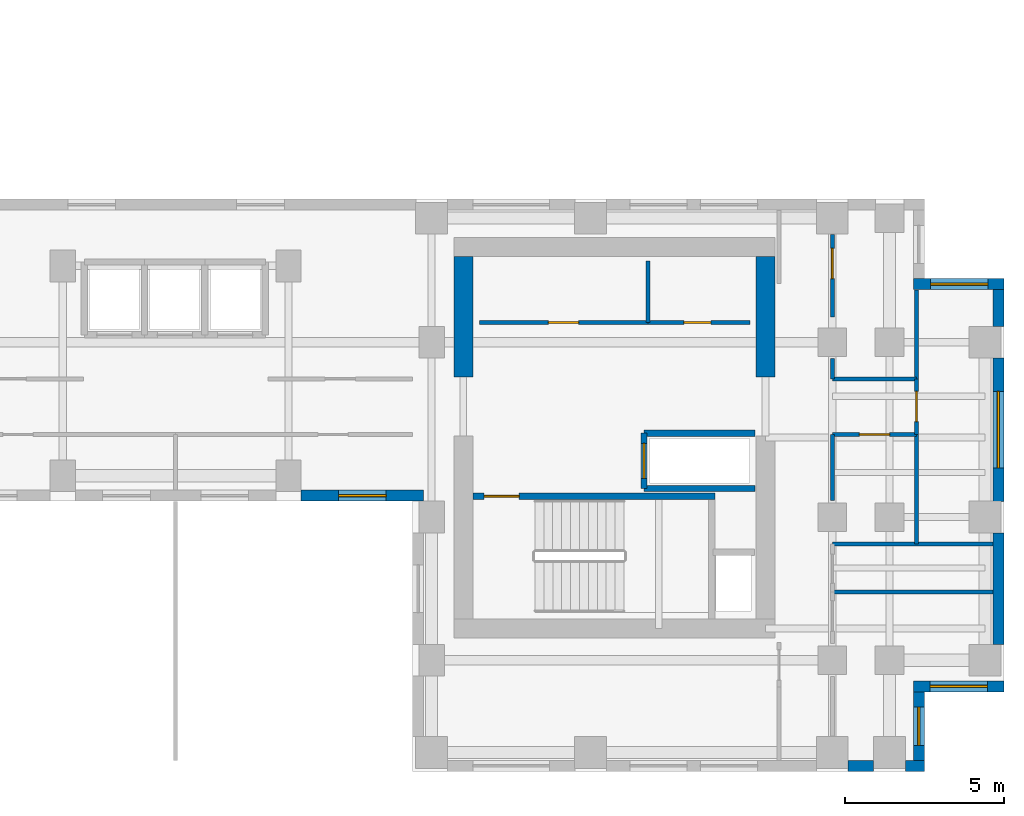
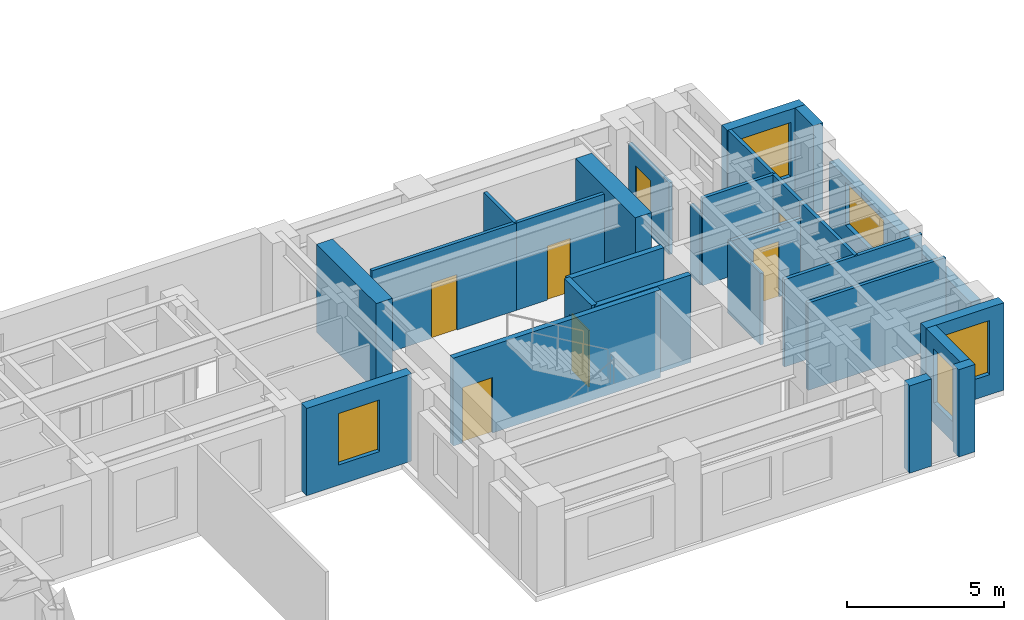
# One storey, part 9 of 13: 28 walls, 7 doors, 5 windows, 12 openings.
"""IFC4 building model written with IfcOpenShell, lengths in metres."""

from ifc_helpers import new_model, si_unit, direction, frame, frame_2d, origin, place, context, subcontext, project, spatial, rectangle, extrude, source, transform, mapped, material, layer, layer_set, type_object, element, fill, save


model = new_model("IFC4")

# Units and contexts
model_context = context("Model", 3, precision=1e-05, world=origin(), true_north=direction((0.0, 1.0)))
body_context = subcontext(model_context, "Body", "Model", "MODEL_VIEW")
ifc_project = project(units=[si_unit("LENGTHUNIT", "METRE"), si_unit("AREAUNIT", "SQUARE_METRE"), si_unit("VOLUMEUNIT", "CUBIC_METRE"), si_unit("PLANEANGLEUNIT", "RADIAN"), si_unit("MASSUNIT", "GRAM", prefix="KILO")], contexts=[model_context])

# Site, building, storey
site_placement = place(None, origin())
site = spatial("IfcSite", under=ifc_project, at=site_placement, CompositionType="ELEMENT")
building_placement = place(site_placement, origin())
building = spatial("IfcBuilding", under=site, at=building_placement, Name="Kharzan Plaza Tower", CompositionType="ELEMENT")
storey_placement = place(building_placement, frame((0.0, 0.0, 197.10009765625)))
storey = spatial("IfcBuildingStorey", under=building, at=storey_placement, Name="L53", CompositionType="ELEMENT", Elevation=197.10009765625)

# Wall, opening, window
ifc_material_1 = material(Name="Concrete C40/50", Category="concrete")
ifc_layer_1 = layer(ifc_material_1, 0.35009765625)
ifc_layer_set_1 = layer_set([ifc_layer_1], Name="Concrete C40/50")
wall_type_1 = type_object("IfcWallType", Name="WL-EXT-MAS-Z3", PredefinedType="SOLIDWALL", material=ifc_layer_set_1)
wall_1_placement = place(storey_placement, frame((30.89794921875, 8.675048828125, 0.0), z_axis=(0.0, 0.0, 1.0), x_axis=(1.0, 0.0, 0.0)))
wall_1 = element("IfcWall", 1, at=wall_1_placement, inside=storey, type_object=wall_type_1, Name="L53 Masonry-Frame Exterior Wall 28", PredefinedType="SOLIDWALL", context=body_context, shape_type="SweptSolid", body=[
    extrude(rectangle(XDim=3.85205078125, YDim=0.35009765625, at=frame_2d((1.926025390625, 0.0))), origin(), (0.0, 0.0, 1.0), 3.385009765625),
])
opening_1_placement = place(wall_1_placement, frame((1.176025390625, 0.0, 0.780029296875)))
opening_1 = element("IfcOpeningElement", 2, at=opening_1_placement, cuts=wall_1, Name="Opening W5", PredefinedType="OPENING", context=body_context, shape_type="SweptSolid", body=[
    extrude(rectangle(XDim=1.5, YDim=2.0, at=frame_2d((0.75, 1.0))), frame((0.0, 0.18505859375, 0.0), z_axis=(0.0, -1.0, 0.0), x_axis=(1.0, 0.0, 0.0)), (0.0, 0.0, 1.0), 0.3701171875),
])
ifc_material_2 = material(Name="Low-E Double Glazing", Category="glass")
window_type_1 = type_object("IfcWindowType", Name="WN-SLT-1500x2000", PartitioningType="SINGLE_PANEL", PredefinedType="WINDOW", material=ifc_material_2)
shared_shape_1 = source(origin(), body_context, "Body", "SweptSolid", [
    extrude(rectangle(XDim=1.5, YDim=2.0, at=frame_2d((0.75, 1.0))), frame((0.0, 0.030029296875, 0.0), z_axis=(0.0, -1.0, 0.0), x_axis=(1.0, 0.0, 0.0)), (0.0, 0.0, 1.0), 0.06005859375),
])
window_1_placement = place(opening_1_placement, origin())
window_1 = element("IfcWindow", 3, at=window_1_placement, inside=storey, type_object=window_type_1, Name="L53 Recessed Solar-Control Window 28-1", OverallHeight=2.0, OverallWidth=1.5, PartitioningType="SINGLE_PANEL", PredefinedType="WINDOW", context=body_context, shape_type="MappedRepresentation", body=[
    mapped(shared_shape_1, transform((0.0, 0.0, 0.0), x_axis=(1.0, 0.0, 0.0), y_axis=(0.0, 1.0, 0.0), z_axis=(0.0, 0.0, 1.0))),
])
fill(opening_1, window_1)

wall_2_placement = place(storey_placement, frame((50.324951171875, 0.347900390625, 0.0), z_axis=(0.0, 0.0, 1.0), x_axis=(0.0, 1.0, 0.0)))
wall_2 = element("IfcWall", 4, at=wall_2_placement, inside=storey, type_object=wall_type_1, Name="L53 Masonry-Frame Exterior Wall 35", PredefinedType="SOLIDWALL", context=body_context, shape_type="SweptSolid", body=[
    extrude(rectangle(XDim=2.154052734375, YDim=0.35009765625, at=frame_2d((1.0771484375, 0.0))), origin(), (0.0, 0.0, 1.0), 3.385009765625),
])
opening_2_placement = place(wall_2_placement, frame((0.47705078125, 0.0, 0.780029296875)))
opening_2 = element("IfcOpeningElement", 5, at=opening_2_placement, cuts=wall_2, Name="Opening W3", PredefinedType="OPENING", context=body_context, shape_type="SweptSolid", body=[
    extrude(rectangle(XDim=1.199951171875, YDim=2.10009765625, at=frame_2d((0.60009765625, 1.050048828125))), frame((0.0, 0.18505859375, 0.0), z_axis=(0.0, -1.0, 0.0), x_axis=(1.0, 0.0, 0.0)), (0.0, 0.0, 1.0), 0.3701171875),
])
window_type_2 = type_object("IfcWindowType", Name="WN-REC-1200x2100", PartitioningType="SINGLE_PANEL", PredefinedType="WINDOW", material=ifc_material_2)
shared_shape_2 = source(origin(), body_context, "Body", "SweptSolid", [
    extrude(rectangle(XDim=1.199951171875, YDim=2.10009765625, at=frame_2d((0.60009765625, 1.050048828125))), frame((0.0, 0.030029296875, 0.0), z_axis=(0.0, -1.0, 0.0), x_axis=(1.0, 0.0, 0.0)), (0.0, 0.0, 1.0), 0.06005859375),
])
window_2_placement = place(opening_2_placement, origin())
window_2 = element("IfcWindow", 6, at=window_2_placement, inside=storey, type_object=window_type_2, Name="L53 Recessed Solar-Control Window 35-1", OverallHeight=2.10009765625, OverallWidth=1.199951171875, PartitioningType="SINGLE_PANEL", PredefinedType="WINDOW", context=body_context, shape_type="MappedRepresentation", body=[
    mapped(shared_shape_2, transform((0.0, 0.0, 0.0), x_axis=(1.0, 0.0, 0.0), y_axis=(0.0, 1.0, 0.0), z_axis=(0.0, 0.0, 1.0))),
])
fill(opening_2, window_2)

wall_3_placement = place(storey_placement, frame((50.14990234375, 2.675048828125, 0.0), z_axis=(0.0, 0.0, 1.0), x_axis=(1.0, 0.0, 0.0)))
wall_3 = element("IfcWall", 7, at=wall_3_placement, inside=storey, type_object=wall_type_1, Name="L53 Masonry-Frame Exterior Wall 36", PredefinedType="SOLIDWALL", context=body_context, shape_type="SweptSolid", body=[
    extrude(rectangle(XDim=2.85009765625, YDim=0.35009765625, at=frame_2d((1.425048828125, 0.0))), origin(), (0.0, 0.0, 1.0), 3.385009765625),
])
opening_3_placement = place(wall_3_placement, frame((0.52490234375, 0.0, 0.780029296875)))
opening_3 = element("IfcOpeningElement", 8, at=opening_3_placement, cuts=wall_3, Name="Opening W1", PredefinedType="OPENING", context=body_context, shape_type="SweptSolid", body=[
    extrude(rectangle(XDim=1.800048828125, YDim=2.10009765625, at=frame_2d((0.89990234375, 1.050048828125))), frame((0.0, 0.18505859375, 0.0), z_axis=(0.0, -1.0, 0.0), x_axis=(1.0, 0.0, 0.0)), (0.0, 0.0, 1.0), 0.3701171875),
])
window_type_3 = type_object("IfcWindowType", Name="WN-REC-1800x2100", PartitioningType="SINGLE_PANEL", PredefinedType="WINDOW", material=ifc_material_2)
shared_shape_3 = source(origin(), body_context, "Body", "SweptSolid", [
    extrude(rectangle(XDim=1.800048828125, YDim=2.10009765625, at=frame_2d((0.89990234375, 1.050048828125))), frame((0.0, 0.030029296875, 0.0), z_axis=(0.0, -1.0, 0.0), x_axis=(1.0, 0.0, 0.0)), (0.0, 0.0, 1.0), 0.06005859375),
])
window_3_placement = place(opening_3_placement, origin())
window_3 = element("IfcWindow", 9, at=window_3_placement, inside=storey, type_object=window_type_3, Name="L53 Recessed Solar-Control Window 36-1", OverallHeight=2.10009765625, OverallWidth=1.800048828125, PartitioningType="SINGLE_PANEL", PredefinedType="WINDOW", context=body_context, shape_type="MappedRepresentation", body=[
    mapped(shared_shape_3, transform((0.0, 0.0, 0.0), x_axis=(1.0, 0.0, 0.0), y_axis=(0.0, 1.0, 0.0), z_axis=(0.0, 0.0, 1.0))),
])
fill(opening_3, window_3)

wall_4_placement = place(storey_placement, frame((52.824951171875, 8.498046875, 0.0), z_axis=(0.0, 0.0, 1.0), x_axis=(0.0, 1.0, 0.0)))
wall_4 = element("IfcWall", 10, at=wall_4_placement, inside=storey, type_object=wall_type_1, Name="L53 Masonry-Frame Exterior Wall 38", PredefinedType="SOLIDWALL", context=body_context, shape_type="SweptSolid", body=[
    extrude(rectangle(XDim=4.50390625, YDim=0.35009765625, at=frame_2d((2.251953125, 0.0))), origin(), (0.0, 0.0, 1.0), 2.61181640625),
])
opening_4_placement = place(wall_4_placement, frame((1.052001953125, 0.0, 0.780029296875)))
opening_4 = element("IfcOpeningElement", 11, at=opening_4_placement, cuts=wall_4, Name="Opening W2", PredefinedType="OPENING", context=body_context, shape_type="SweptSolid", body=[
    extrude(rectangle(XDim=2.39990234375, YDim=1.652099609375, at=frame_2d((1.199951171875, 0.826171875))), frame((0.0, 0.18505859375, 0.0), z_axis=(0.0, -1.0, 0.0), x_axis=(1.0, 0.0, 0.0)), (0.0, 0.0, 1.0), 0.3701171875),
])
window_type_4 = type_object("IfcWindowType", Name="WN-REC-2400x2100", PartitioningType="SINGLE_PANEL", PredefinedType="WINDOW", material=ifc_material_2)
shared_shape_4 = source(origin(), body_context, "Body", "SweptSolid", [
    extrude(rectangle(XDim=2.39990234375, YDim=1.652099609375, at=frame_2d((1.199951171875, 0.826171875))), frame((0.0, 0.030029296875, 0.0), z_axis=(0.0, -1.0, 0.0), x_axis=(1.0, 0.0, 0.0)), (0.0, 0.0, 1.0), 0.06005859375),
])
window_4_placement = place(opening_4_placement, origin())
window_4 = element("IfcWindow", 12, at=window_4_placement, inside=storey, type_object=window_type_4, Name="L53 Wide Recessed Solar-Control Window 38-1", OverallHeight=1.652099609375, OverallWidth=2.39990234375, PartitioningType="SINGLE_PANEL", PredefinedType="WINDOW", context=body_context, shape_type="MappedRepresentation", body=[
    mapped(shared_shape_4, transform((0.0, 0.0, 0.0), x_axis=(1.0, 0.0, 0.0), y_axis=(0.0, 1.0, 0.0), z_axis=(0.0, 0.0, 1.0))),
])
fill(opening_4, window_4)

wall_5_placement = place(storey_placement, frame((53.0, 15.324951171875, 0.0), z_axis=(0.0, 0.0, 1.0), x_axis=(-1.0, 0.0, 0.0)))
wall_5 = element("IfcWall", 13, at=wall_5_placement, inside=storey, type_object=wall_type_1, Name="L53 Masonry-Frame Exterior Wall 40", PredefinedType="SOLIDWALL", context=body_context, shape_type="SweptSolid", body=[
    extrude(rectangle(XDim=2.85009765625, YDim=0.35009765625, at=frame_2d((1.425048828125, 0.0))), origin(), (0.0, 0.0, 1.0), 3.385009765625),
])
opening_5_placement = place(wall_5_placement, frame((0.510009765625, 0.0, 0.780029296875)))
opening_5 = element("IfcOpeningElement", 14, at=opening_5_placement, cuts=wall_5, Name="Opening W1", PredefinedType="OPENING", context=body_context, shape_type="SweptSolid", body=[
    extrude(rectangle(XDim=1.800048828125, YDim=2.10009765625, at=frame_2d((0.89990234375, 1.050048828125))), frame((0.0, 0.18505859375, 0.0), z_axis=(0.0, -1.0, 0.0), x_axis=(1.0, 0.0, 0.0)), (0.0, 0.0, 1.0), 0.3701171875),
])
window_5_placement = place(opening_5_placement, origin())
window_5 = element("IfcWindow", 15, at=window_5_placement, inside=storey, type_object=window_type_3, Name="L53 Recessed Solar-Control Window 40-1", OverallHeight=2.10009765625, OverallWidth=1.800048828125, PartitioningType="SINGLE_PANEL", PredefinedType="WINDOW", context=body_context, shape_type="MappedRepresentation", body=[
    mapped(shared_shape_3, transform((0.0, 0.0, 0.0), x_axis=(1.0, 0.0, 0.0), y_axis=(0.0, 1.0, 0.0), z_axis=(0.0, 0.0, 1.0))),
])
fill(opening_5, window_5)

# Wall, opening, door
ifc_material_3 = material(Name="Fire-Rated Gypsum Board Partition", Category="gypsum")
ifc_layer_2 = layer(ifc_material_3, 0.125)
ifc_layer_set_2 = layer_set([ifc_layer_2], Name="Fire-Rated Gypsum Board Partition")
wall_type_2 = type_object("IfcWallType", Name="WL-INT-PART-125", PredefinedType="PARTITIONING", material=ifc_layer_set_2)
wall_6_placement = place(storey_placement, frame((36.5, 14.1201171875, 0.0), z_axis=(0.0, 0.0, 1.0), x_axis=(1.0, 0.0, 0.0)))
wall_6 = element("IfcWall", 16, at=wall_6_placement, inside=storey, type_object=wall_type_2, Name="L53 Interior Partition CB-RBLSA", PredefinedType="PARTITIONING", context=body_context, shape_type="SweptSolid", body=[
    extrude(rectangle(XDim=5.300048828125, YDim=0.125, at=frame_2d((2.64990234375, 0.0))), origin(), (0.0, 0.0, 1.0), 3.385009765625),
])
opening_6_placement = place(wall_6_placement, frame((2.175048828125, 0.0, 0.0)))
opening_6 = element("IfcOpeningElement", 17, at=opening_6_placement, cuts=wall_6, Name="Opening OD1", PredefinedType="OPENING", context=body_context, shape_type="SweptSolid", body=[
    extrude(rectangle(XDim=0.949951171875, YDim=2.14990234375, at=frame_2d((0.47509765625, 1.074951171875))), frame((0.0, 0.072509765625, 0.0), z_axis=(0.0, -1.0, 0.0), x_axis=(1.0, 0.0, 0.0)), (0.0, 0.0, 1.0), 0.14501953125),
])
ifc_material_4 = material(Name="Acoustic Solid-Core Stained Oak", Category="timber")
door_type_1 = type_object("IfcDoorType", Name="DR-OFF-SINGLE", OperationType="NOTDEFINED", PredefinedType="DOOR", material=ifc_material_4)
shared_shape_5 = source(origin(), body_context, "Body", "SweptSolid", [
    extrude(rectangle(XDim=0.949951171875, YDim=2.14990234375, at=frame_2d((0.47509765625, 1.074951171875))), frame((0.0, 0.02490234375, 0.0), z_axis=(0.0, -1.0, 0.0), x_axis=(1.0, 0.0, 0.0)), (0.0, 0.0, 1.0), 0.050048828125),
])
door_1_placement = place(opening_6_placement, origin())
door_1 = element("IfcDoor", 18, at=door_1_placement, inside=storey, type_object=door_type_1, Name="L53 Records Room Door", OperationType="SINGLE_SWING_LEFT", OverallHeight=2.14990234375, OverallWidth=0.949951171875, PredefinedType="DOOR", context=body_context, shape_type="MappedRepresentation", body=[
    mapped(shared_shape_5, transform((0.0, 0.0, 0.0), x_axis=(1.0, 0.0, 0.0), y_axis=(0.0, 1.0, 0.0), z_axis=(0.0, 0.0, 1.0))),
])
fill(opening_6, door_1)

wall_7_placement = place(storey_placement, frame((41.800048828125, 14.1201171875, 0.0), z_axis=(0.0, 0.0, 1.0), x_axis=(1.0, 0.0, 0.0)))
wall_7 = element("IfcWall", 19, at=wall_7_placement, inside=storey, type_object=wall_type_2, Name="L53 Interior Partition CB-RBLSB", PredefinedType="PARTITIONING", context=body_context, shape_type="SweptSolid", body=[
    extrude(rectangle(XDim=3.219970703125, YDim=0.125, at=frame_2d((1.60986328125, 0.0))), origin(), (0.0, 0.0, 1.0), 3.385009765625),
])
opening_7_placement = place(wall_7_placement, frame((1.135009765625, 0.0, 0.0)))
opening_7 = element("IfcOpeningElement", 20, at=opening_7_placement, cuts=wall_7, Name="Opening RD1", PredefinedType="OPENING", context=body_context, shape_type="SweptSolid", body=[
    extrude(rectangle(XDim=0.85009765625, YDim=2.10009765625, at=frame_2d((0.425048828125, 1.050048828125))), frame((0.0, 0.072509765625, 0.0), z_axis=(0.0, -1.0, 0.0), x_axis=(1.0, 0.0, 0.0)), (0.0, 0.0, 1.0), 0.14501953125),
])
ifc_material_5 = material(Name="Powder-Coated Fire-Rated Steel", Category="steel")
door_type_2 = type_object("IfcDoorType", Name="DR-RISER-900", OperationType="NOTDEFINED", PredefinedType="DOOR", material=ifc_material_5)
shared_shape_6 = source(origin(), body_context, "Body", "SweptSolid", [
    extrude(rectangle(XDim=0.85009765625, YDim=2.10009765625, at=frame_2d((0.425048828125, 1.050048828125))), frame((0.0, 0.02490234375, 0.0), z_axis=(0.0, -1.0, 0.0), x_axis=(1.0, 0.0, 0.0)), (0.0, 0.0, 1.0), 0.050048828125),
])
door_2_placement = place(opening_7_placement, origin())
door_2 = element("IfcDoor", 21, at=door_2_placement, inside=storey, type_object=door_type_2, Name="L53 Housekeeping Store Door", OperationType="SINGLE_SWING_RIGHT", OverallHeight=2.10009765625, OverallWidth=0.85009765625, PredefinedType="DOOR", context=body_context, shape_type="MappedRepresentation", body=[
    mapped(shared_shape_6, transform((0.0, 0.0, 0.0), x_axis=(1.0, 0.0, 0.0), y_axis=(0.0, 1.0, 0.0), z_axis=(0.0, 0.0, 1.0))),
])
fill(opening_7, door_2)

wall_8_placement = place(storey_placement, frame((50.25, 10.60009765625, 0.0), z_axis=(0.0, 0.0, 1.0), x_axis=(0.0, 1.0, 0.0)))
wall_8 = element("IfcWall", 22, at=wall_8_placement, inside=storey, type_object=wall_type_2, Name="L53 Interior Partition SH-B2E2", PredefinedType="PARTITIONING", context=body_context, shape_type="SweptSolid", body=[
    extrude(rectangle(XDim=1.75, YDim=0.125, at=frame_2d((0.875, 0.0))), origin(), (0.0, 0.0, 1.0), 3.385009765625),
])
opening_8_placement = place(wall_8_placement, frame((0.39990234375, 0.0, 0.0)))
opening_8 = element("IfcOpeningElement", 23, at=opening_8_placement, cuts=wall_8, Name="Opening OD1", PredefinedType="OPENING", context=body_context, shape_type="SweptSolid", body=[
    extrude(rectangle(XDim=0.949951171875, YDim=2.14990234375, at=frame_2d((0.47509765625, 1.074951171875))), frame((0.0, 0.072509765625, 0.0), z_axis=(0.0, -1.0, 0.0), x_axis=(1.0, 0.0, 0.0)), (0.0, 0.0, 1.0), 0.14501953125),
])
door_3_placement = place(opening_8_placement, origin())
door_3 = element("IfcDoor", 24, at=door_3_placement, inside=storey, type_object=door_type_1, Name="L53 East Boardroom Door", OperationType="SINGLE_SWING_LEFT", OverallHeight=2.14990234375, OverallWidth=0.949951171875, PredefinedType="DOOR", context=body_context, shape_type="MappedRepresentation", body=[
    mapped(shared_shape_5, transform((0.0, 0.0, 0.0), x_axis=(1.0, 0.0, 0.0), y_axis=(0.0, 1.0, 0.0), z_axis=(0.0, 0.0, 1.0))),
])
fill(opening_8, door_3)

wall_9_placement = place(storey_placement, frame((47.60009765625, 10.60009765625, 0.0), z_axis=(0.0, 0.0, 1.0), x_axis=(1.0, 0.0, 0.0)))
wall_9 = element("IfcWall", 25, at=wall_9_placement, inside=storey, type_object=wall_type_2, Name="L53 Interior Partition SH-B2S1", PredefinedType="PARTITIONING", context=body_context, shape_type="SweptSolid", body=[
    extrude(rectangle(XDim=2.64990234375, YDim=0.125, at=frame_2d((1.324951171875, 0.0))), origin(), (0.0, 0.0, 1.0), 2.77294921875),
])
opening_9_placement = place(wall_9_placement, frame((0.85009765625, 0.0, 0.0)))
opening_9 = element("IfcOpeningElement", 26, at=opening_9_placement, cuts=wall_9, Name="Opening OD1", PredefinedType="OPENING", context=body_context, shape_type="SweptSolid", body=[
    extrude(rectangle(XDim=0.949951171875, YDim=2.14990234375, at=frame_2d((0.47509765625, 1.074951171875))), frame((0.0, 0.072509765625, 0.0), z_axis=(0.0, -1.0, 0.0), x_axis=(1.0, 0.0, 0.0)), (0.0, 0.0, 1.0), 0.14501953125),
])
door_4_placement = place(opening_9_placement, origin())
door_4 = element("IfcDoor", 27, at=door_4_placement, inside=storey, type_object=door_type_1, Name="L53 Spur South Office Door", OperationType="SINGLE_SWING_RIGHT", OverallHeight=2.14990234375, OverallWidth=0.949951171875, PredefinedType="DOOR", context=body_context, shape_type="MappedRepresentation", body=[
    mapped(shared_shape_5, transform((0.0, 0.0, 0.0), x_axis=(1.0, 0.0, 0.0), y_axis=(0.0, 1.0, 0.0), z_axis=(0.0, 0.0, 1.0))),
])
fill(opening_9, door_4)

wall_10_placement = place(storey_placement, frame((47.60009765625, 14.300048828125, 0.0), z_axis=(0.0, 0.0, 1.0), x_axis=(0.0, 1.0, 0.0)))
wall_10 = element("IfcWall", 28, at=wall_10_placement, inside=storey, type_object=wall_type_2, Name="L53 Interior Partition SH-B2W3D", PredefinedType="PARTITIONING", context=body_context, shape_type="SweptSolid", body=[
    extrude(rectangle(XDim=2.579833984375, YDim=0.125, at=frame_2d((1.2900390625, 0.0))), origin(), (0.0, 0.0, 1.0), 2.77294921875),
])
opening_10_placement = place(wall_10_placement, frame((1.199951171875, 0.0, 0.0)))
opening_10 = element("IfcOpeningElement", 29, at=opening_10_placement, cuts=wall_10, Name="Opening OD1", PredefinedType="OPENING", context=body_context, shape_type="SweptSolid", body=[
    extrude(rectangle(XDim=0.949951171875, YDim=2.14990234375, at=frame_2d((0.47509765625, 1.074951171875))), frame((0.0, 0.072509765625, 0.0), z_axis=(0.0, -1.0, 0.0), x_axis=(1.0, 0.0, 0.0)), (0.0, 0.0, 1.0), 0.14501953125),
])
door_5_placement = place(opening_10_placement, origin())
door_5 = element("IfcDoor", 30, at=door_5_placement, inside=storey, type_object=door_type_1, Name="L53 Spur North Office Door", OperationType="SINGLE_SWING_LEFT", OverallHeight=2.14990234375, OverallWidth=0.949951171875, PredefinedType="DOOR", context=body_context, shape_type="MappedRepresentation", body=[
    mapped(shared_shape_5, transform((0.0, 0.0, 0.0), x_axis=(1.0, 0.0, 0.0), y_axis=(0.0, 1.0, 0.0), z_axis=(0.0, 0.0, 1.0))),
])
fill(opening_10, door_5)

ifc_layer_3 = layer(ifc_material_1, 0.199951171875)
ifc_layer_set_3 = layer_set([ifc_layer_3], Name="Concrete C40/50")
wall_type_3 = type_object("IfcWallType", Name="WL-INT-SHAFT-200", PredefinedType="PARTITIONING", material=ifc_layer_set_3)
wall_11_placement = place(storey_placement, frame((41.679931640625, 8.89990234375, 0.0), z_axis=(0.0, 0.0, 1.0), x_axis=(0.0, 1.0, 0.0)))
wall_11 = element("IfcWall", 31, at=wall_11_placement, inside=storey, type_object=wall_type_3, Name="L53 Interior Partition SHF-SVL-2-W", PredefinedType="PARTITIONING", context=body_context, shape_type="SweptSolid", body=[
    extrude(rectangle(XDim=1.739990234375, YDim=0.199951171875, at=frame_2d((0.8701171875, 0.0))), origin(), (0.0, 0.0, 1.0), 3.385009765625),
])
opening_11_placement = place(wall_11_placement, frame((0.320068359375, 0.0, 0.0)))
opening_11 = element("IfcOpeningElement", 32, at=opening_11_placement, cuts=wall_11, Name="Opening LD", PredefinedType="OPENING", context=body_context, shape_type="SweptSolid", body=[
    extrude(rectangle(XDim=1.10009765625, YDim=2.199951171875, at=frame_2d((0.550048828125, 1.10009765625))), frame((0.0, 0.10986328125, 0.0), z_axis=(0.0, -1.0, 0.0), x_axis=(1.0, 0.0, 0.0)), (0.0, 0.0, 1.0), 0.219970703125),
])
ifc_material_6 = material(Name="Brushed Stainless Steel", Category="steel")
door_type_3 = type_object("IfcDoorType", Name="DR-LIFT-SLIDE", OperationType="SLIDING_TO_LEFT", PredefinedType="DOOR", material=ifc_material_6)
shared_shape_7 = source(origin(), body_context, "Body", "SweptSolid", [
    extrude(rectangle(XDim=1.10009765625, YDim=2.199951171875, at=frame_2d((0.550048828125, 1.10009765625))), frame((0.0, 0.02490234375, 0.0), z_axis=(0.0, -1.0, 0.0), x_axis=(1.0, 0.0, 0.0)), (0.0, 0.0, 1.0), 0.050048828125),
])
door_6_placement = place(opening_11_placement, origin())
door_6 = element("IfcDoor", 33, at=door_6_placement, inside=storey, type_object=door_type_3, Name="L53 Service Lift SVL-2 Sliding Landing Door", OperationType="SLIDING_TO_LEFT", OverallHeight=2.199951171875, OverallWidth=1.10009765625, PredefinedType="DOOR", context=body_context, shape_type="MappedRepresentation", body=[
    mapped(shared_shape_7, transform((0.0, 0.0, 0.0), x_axis=(1.0, 0.0, 0.0), y_axis=(0.0, 1.0, 0.0), z_axis=(0.0, 0.0, 1.0))),
])
fill(opening_11, door_6)

ifc_material_7 = material(Name="Concrete C50/60", Category="concrete")
ifc_layer_4 = layer(ifc_material_7, 0.199951171875)
ifc_layer_set_4 = layer_set([ifc_layer_4], Name="Concrete C50/60")
wall_type_4 = type_object("IfcWallType", Name="WL-SHAFT-RC200", PredefinedType="SHEAR", material=ifc_layer_set_4)
wall_12_placement = place(storey_placement, frame((36.302001953125, 8.655029296875, 0.0), z_axis=(0.0, 0.0, 1.0), x_axis=(1.0, 0.0, 0.0)))
wall_12 = element("IfcWall", 34, at=wall_12_placement, inside=storey, type_object=wall_type_4, Name="L53 Stair ST-3 North RC Shaft Wall", PredefinedType="SHEAR", context=body_context, shape_type="SweptSolid", body=[
    extrude(rectangle(XDim=7.60302734375, YDim=0.199951171875, at=frame_2d((3.801513671875, 0.0))), origin(), (0.0, 0.0, 1.0), 3.39990234375),
])
opening_12_placement = place(wall_12_placement, frame((0.35009765625, 0.0, 0.0)))
opening_12 = element("IfcOpeningElement", 35, at=opening_12_placement, cuts=wall_12, Name="Opening SD1", PredefinedType="OPENING", context=body_context, shape_type="SweptSolid", body=[
    extrude(rectangle(XDim=1.10009765625, YDim=2.14990234375, at=frame_2d((0.550048828125, 1.074951171875))), frame((0.0, 0.10986328125, 0.0), z_axis=(0.0, -1.0, 0.0), x_axis=(1.0, 0.0, 0.0)), (0.0, 0.0, 1.0), 0.219970703125),
])
ifc_material_8 = material(Name="Fire-Rated Hollow Galvanized Steel", Category="steel")
door_type_4 = type_object("IfcDoorType", Name="DR-STAIR-FD120", OperationType="NOTDEFINED", PredefinedType="DOOR", material=ifc_material_8)
shared_shape_8 = source(origin(), body_context, "Body", "SweptSolid", [
    extrude(rectangle(XDim=1.10009765625, YDim=2.14990234375, at=frame_2d((0.550048828125, 1.074951171875))), frame((0.0, 0.02490234375, 0.0), z_axis=(0.0, -1.0, 0.0), x_axis=(1.0, 0.0, 0.0)), (0.0, 0.0, 1.0), 0.050048828125),
])
door_7_placement = place(opening_12_placement, origin())
door_7 = element("IfcDoor", 36, at=door_7_placement, inside=storey, type_object=door_type_4, Name="L53 Stair ST-3 Fire Exit Door", OperationType="SINGLE_SWING_RIGHT", OverallHeight=2.14990234375, OverallWidth=1.10009765625, PredefinedType="DOOR", context=body_context, shape_type="MappedRepresentation", body=[
    mapped(shared_shape_8, transform((0.0, 0.0, 0.0), x_axis=(1.0, 0.0, 0.0), y_axis=(0.0, 1.0, 0.0), z_axis=(0.0, 0.0, 1.0))),
])
fill(opening_12, door_7)

# Walls
ifc_layer_5 = layer(ifc_material_7, 0.60009765625)
ifc_layer_set_5 = layer_set([ifc_layer_5], Name="Concrete C50/60")
wall_type_5 = type_object("IfcWallType", Name="WL-CORE-600", PredefinedType="SHEAR", material=ifc_layer_set_5)
shared_shape_9 = source(origin(), body_context, "Body", "SweptSolid", [
    extrude(rectangle(XDim=3.800048828125, YDim=0.60009765625, at=frame_2d((1.89990234375, 0.0))), origin(), (0.0, 0.0, 1.0), 3.39990234375),
])
for number, where, z_axis, x_axis, name in (
    (37, (45.5, 12.39990234375, 0.0), (0.0, 0.0, 1.0), (0.0, 1.0, 0.0), "L53 CORE-B east shear pier 2"),
    (38, (36.0, 12.39990234375, 0.0), (0.0, 0.0, 1.0), (0.0, 1.0, 0.0), "L53 CORE-B west shear pier 2"),
):
    element("IfcWall", number, at=place(storey_placement, frame(where, z_axis=z_axis, x_axis=x_axis)), inside=storey, type_object=wall_type_5, Name=name, PredefinedType="SHEAR", context=body_context, shape_type="MappedRepresentation", body=[
        mapped(shared_shape_9, transform((0.0, 0.0, 0.0), x_axis=(1.0, 0.0, 0.0), y_axis=(0.0, 1.0, 0.0), z_axis=(0.0, 0.0, 1.0))),
    ])
shared_shape_10 = source(origin(), body_context, "Body", "SweptSolid", [
    extrude(rectangle(XDim=0.80419921875, YDim=0.35009765625, at=frame_2d((0.402099609375, 0.0))), origin(), (0.0, 0.0, 1.0), 3.385009765625),
])
wall_13_placement = place(storey_placement, frame((48.097900390625, 0.175048828125, 0.0), z_axis=(0.0, 0.0, 1.0), x_axis=(1.0, 0.0, 0.0)))
element("IfcWall", 39, at=wall_13_placement, inside=storey, type_object=wall_type_1, Name="L53 Masonry-Frame Exterior Wall 33", PredefinedType="SOLIDWALL", context=body_context, shape_type="MappedRepresentation", body=[
    mapped(shared_shape_10, transform((0.0, 0.0, 0.0), x_axis=(1.0, 0.0, 0.0), y_axis=(0.0, 1.0, 0.0), z_axis=(0.0, 0.0, 1.0))),
])
shared_shape_11 = source(origin(), body_context, "Body", "SweptSolid", [
    extrude(rectangle(XDim=0.60205078125, YDim=0.35009765625, at=frame_2d((0.301025390625, 0.0))), origin(), (0.0, 0.0, 1.0), 3.385009765625),
])
wall_14_placement = place(storey_placement, frame((49.89794921875, 0.175048828125, 0.0), z_axis=(0.0, 0.0, 1.0), x_axis=(1.0, 0.0, 0.0)))
element("IfcWall", 40, at=wall_14_placement, inside=storey, type_object=wall_type_1, Name="L53 Masonry-Frame Exterior Wall 34", PredefinedType="SOLIDWALL", context=body_context, shape_type="MappedRepresentation", body=[
    mapped(shared_shape_11, transform((0.0, 0.0, 0.0), x_axis=(1.0, 0.0, 0.0), y_axis=(0.0, 1.0, 0.0), z_axis=(0.0, 0.0, 1.0))),
])
shared_shape_12 = source(origin(), body_context, "Body", "SweptSolid", [
    extrude(rectangle(XDim=1.154052734375, YDim=0.35009765625, at=frame_2d((0.5771484375, 0.0))), origin(), (0.0, 0.0, 1.0), 3.385009765625),
])
wall_15_placement = place(storey_placement, frame((52.824951171875, 13.998046875, 0.0), z_axis=(0.0, 0.0, 1.0), x_axis=(0.0, 1.0, 0.0)))
element("IfcWall", 41, at=wall_15_placement, inside=storey, type_object=wall_type_1, Name="L53 Masonry-Frame Exterior Wall 39", PredefinedType="SOLIDWALL", context=body_context, shape_type="MappedRepresentation", body=[
    mapped(shared_shape_12, transform((0.0, 0.0, 0.0), x_axis=(1.0, 0.0, 0.0), y_axis=(0.0, 1.0, 0.0), z_axis=(0.0, 0.0, 1.0))),
])
shared_shape_13 = source(origin(), body_context, "Body", "SweptSolid", [
    extrude(rectangle(XDim=3.50390625, YDim=0.35009765625, at=frame_2d((1.751953125, 0.0))), origin(), (0.0, 0.0, 1.0), 2.61181640625),
])
wall_16_placement = place(storey_placement, frame((52.824951171875, 3.998046875, 0.0), z_axis=(0.0, 0.0, 1.0), x_axis=(0.0, 1.0, 0.0)))
element("IfcWall", 42, at=wall_16_placement, inside=storey, type_object=wall_type_1, Name="L53 Masonry-Frame Exterior Wall 37", PredefinedType="SOLIDWALL", context=body_context, shape_type="MappedRepresentation", body=[
    mapped(shared_shape_13, transform((0.0, 0.0, 0.0), x_axis=(1.0, 0.0, 0.0), y_axis=(0.0, 1.0, 0.0), z_axis=(0.0, 0.0, 1.0))),
])
shared_shape_14 = source(origin(), body_context, "Body", "SweptSolid", [
    extrude(rectangle(XDim=1.929931640625, YDim=0.125, at=frame_2d((0.96484375, 0.0))), origin(), (0.0, 0.0, 1.0), 3.385009765625),
])
wall_17_placement = place(storey_placement, frame((41.800048828125, 14.1201171875, 0.0), z_axis=(0.0, 0.0, 1.0), x_axis=(0.0, 1.0, 0.0)))
element("IfcWall", 43, at=wall_17_placement, inside=storey, type_object=wall_type_2, Name="L53 Interior Partition CB-RBLM2", PredefinedType="PARTITIONING", context=body_context, shape_type="MappedRepresentation", body=[
    mapped(shared_shape_14, transform((0.0, 0.0, 0.0), x_axis=(1.0, 0.0, 0.0), y_axis=(0.0, 1.0, 0.0), z_axis=(0.0, 0.0, 1.0))),
])
shared_shape_15 = source(origin(), body_context, "Body", "SweptSolid", [
    extrude(rectangle(XDim=0.6298828125, YDim=0.125, at=frame_2d((0.31494140625, 0.0))), origin(), (0.0, 0.0, 1.0), 2.77294921875),
])
wall_18_placement = place(storey_placement, frame((47.60009765625, 12.35009765625, 0.0), z_axis=(0.0, 0.0, 1.0), x_axis=(0.0, 1.0, 0.0)))
element("IfcWall", 44, at=wall_18_placement, inside=storey, type_object=wall_type_2, Name="L53 Interior Partition SH-B2W3S", PredefinedType="PARTITIONING", context=body_context, shape_type="MappedRepresentation", body=[
    mapped(shared_shape_15, transform((0.0, 0.0, 0.0), x_axis=(1.0, 0.0, 0.0), y_axis=(0.0, 1.0, 0.0), z_axis=(0.0, 0.0, 1.0))),
])
shared_shape_16 = source(origin(), body_context, "Body", "SweptSolid", [
    extrude(rectangle(XDim=5.0478515625, YDim=0.125, at=frame_2d((2.52392578125, 0.0))), origin(), (0.0, 0.0, 1.0), 3.385009765625),
])
for number, where, z_axis, x_axis, name in (
    (45, (47.60009765625, 5.64990234375, 0.0), (0.0, 0.0, 1.0), (1.0, 0.0, 0.0), "L53 Interior Partition SH-B2H1"),
    (46, (47.60009765625, 7.14990234375, 0.0), (0.0, 0.0, 1.0), (1.0, 0.0, 0.0), "L53 Interior Partition SH-B2H2"),
):
    element("IfcWall", number, at=place(storey_placement, frame(where, z_axis=z_axis, x_axis=x_axis)), inside=storey, type_object=wall_type_2, Name=name, PredefinedType="PARTITIONING", context=body_context, shape_type="MappedRepresentation", body=[
        mapped(shared_shape_16, transform((0.0, 0.0, 0.0), x_axis=(1.0, 0.0, 0.0), y_axis=(0.0, 1.0, 0.0), z_axis=(0.0, 0.0, 1.0))),
    ])
shared_shape_17 = source(origin(), body_context, "Body", "SweptSolid", [
    extrude(rectangle(XDim=3.489990234375, YDim=0.199951171875, at=frame_2d((1.7451171875, 0.0))), origin(), (0.0, 0.0, 1.0), 3.385009765625),
])
for number, where, z_axis, x_axis, name in (
    (47, (41.679931640625, 10.639892578125, 0.0), (0.0, 0.0, 1.0), (1.0, 0.0, 0.0), "L53 Interior Partition SHF-SVL-2-N"),
    (48, (41.679931640625, 8.89990234375, 0.0), (0.0, 0.0, 1.0), (1.0, 0.0, 0.0), "L53 Interior Partition SHF-SVL-2-S"),
):
    element("IfcWall", number, at=place(storey_placement, frame(where, z_axis=z_axis, x_axis=x_axis)), inside=storey, type_object=wall_type_3, Name=name, PredefinedType="PARTITIONING", context=body_context, shape_type="MappedRepresentation", body=[
        mapped(shared_shape_17, transform((0.0, 0.0, 0.0), x_axis=(1.0, 0.0, 0.0), y_axis=(0.0, 1.0, 0.0), z_axis=(0.0, 0.0, 1.0))),
    ])
shared_shape_18 = source(origin(), body_context, "Body", "SweptSolid", [
    extrude(rectangle(XDim=2.64990234375, YDim=0.125, at=frame_2d((1.324951171875, 0.0))), origin(), (0.0, 0.0, 1.0), 3.385009765625),
])
wall_19_placement = place(storey_placement, frame((47.60009765625, 12.35009765625, 0.0), z_axis=(0.0, 0.0, 1.0), x_axis=(1.0, 0.0, 0.0)))
element("IfcWall", 49, at=wall_19_placement, inside=storey, type_object=wall_type_2, Name="L53 Interior Partition SH-B2N3", PredefinedType="PARTITIONING", context=body_context, shape_type="MappedRepresentation", body=[
    mapped(shared_shape_18, transform((0.0, 0.0, 0.0), x_axis=(1.0, 0.0, 0.0), y_axis=(0.0, 1.0, 0.0), z_axis=(0.0, 0.0, 1.0))),
])
shared_shape_19 = source(origin(), body_context, "Body", "SweptSolid", [
    extrude(rectangle(XDim=3.4501953125, YDim=0.125, at=frame_2d((1.72509765625, 0.0))), origin(), (0.0, 0.0, 1.0), 3.385009765625),
])
wall_20_placement = place(storey_placement, frame((50.25, 7.14990234375, 0.0), z_axis=(0.0, 0.0, 1.0), x_axis=(0.0, 1.0, 0.0)))
element("IfcWall", 50, at=wall_20_placement, inside=storey, type_object=wall_type_2, Name="L53 Interior Partition SH-B2V1", PredefinedType="PARTITIONING", context=body_context, shape_type="MappedRepresentation", body=[
    mapped(shared_shape_19, transform((0.0, 0.0, 0.0), x_axis=(1.0, 0.0, 0.0), y_axis=(0.0, 1.0, 0.0), z_axis=(0.0, 0.0, 1.0))),
])
shared_shape_20 = source(origin(), body_context, "Body", "SweptSolid", [
    extrude(rectangle(XDim=2.7978515625, YDim=0.125, at=frame_2d((1.39892578125, 0.0))), origin(), (0.0, 0.0, 1.0), 3.385009765625),
])
wall_21_placement = place(storey_placement, frame((50.25, 12.35009765625, 0.0), z_axis=(0.0, 0.0, 1.0), x_axis=(0.0, 1.0, 0.0)))
element("IfcWall", 51, at=wall_21_placement, inside=storey, type_object=wall_type_2, Name="L53 Interior Partition SH-B2V2", PredefinedType="PARTITIONING", context=body_context, shape_type="MappedRepresentation", body=[
    mapped(shared_shape_20, transform((0.0, 0.0, 0.0), x_axis=(1.0, 0.0, 0.0), y_axis=(0.0, 1.0, 0.0), z_axis=(0.0, 0.0, 1.0))),
])
shared_shape_21 = source(origin(), body_context, "Body", "SweptSolid", [
    extrude(rectangle(XDim=2.080078125, YDim=0.125, at=frame_2d((1.0400390625, 0.0))), origin(), (0.0, 0.0, 1.0), 2.77294921875),
])
wall_22_placement = place(storey_placement, frame((47.60009765625, 8.52001953125, 0.0), z_axis=(0.0, 0.0, 1.0), x_axis=(0.0, 1.0, 0.0)))
element("IfcWall", 52, at=wall_22_placement, inside=storey, type_object=wall_type_2, Name="L53 Interior Partition SH-B2W1C", PredefinedType="PARTITIONING", context=body_context, shape_type="MappedRepresentation", body=[
    mapped(shared_shape_21, transform((0.0, 0.0, 0.0), x_axis=(1.0, 0.0, 0.0), y_axis=(0.0, 1.0, 0.0), z_axis=(0.0, 0.0, 1.0))),
])

save(model, "model.ifc")
